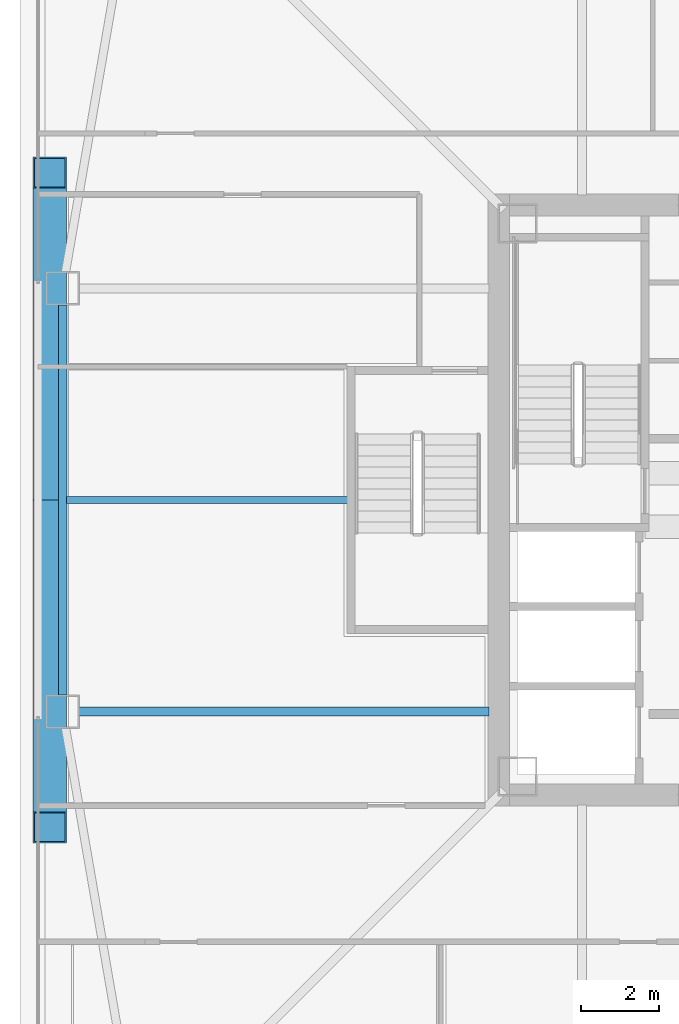
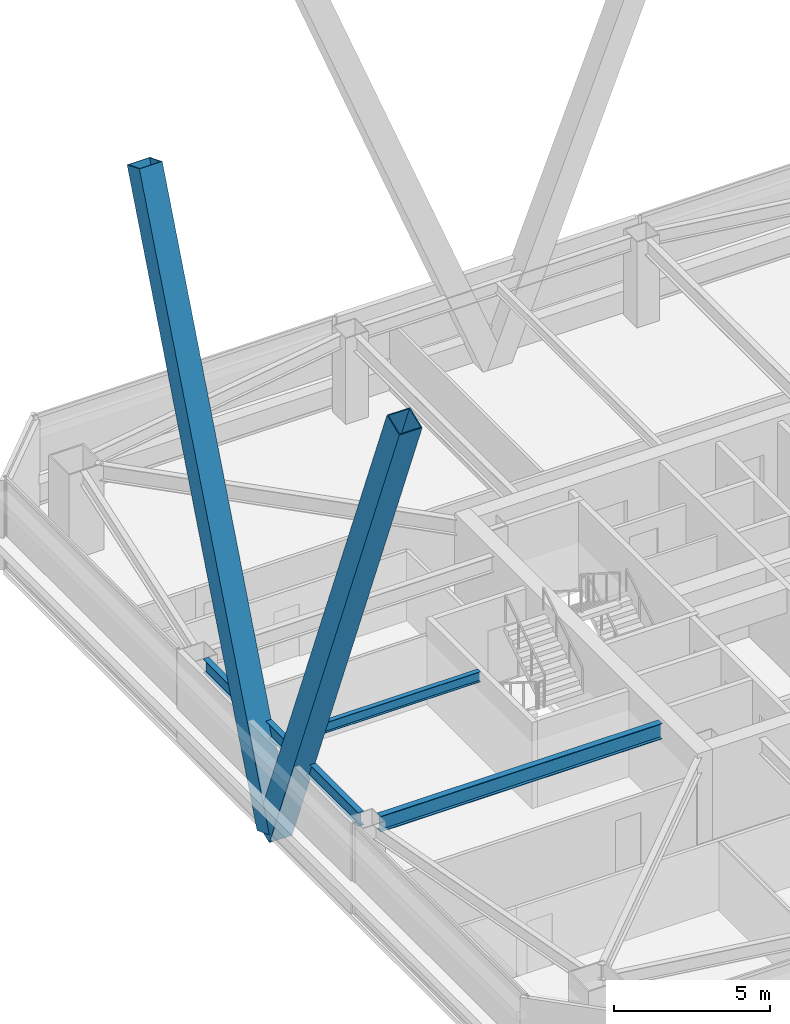
# One storey, part 8 of 50: 3 beams, 2 members.
"""IFC4 building model written with IfcOpenShell, lengths in metres."""

from ifc_helpers import new_model, si_unit, direction, frame, origin, origin_2d, place, context, subcontext, project, spatial, hollow_rectangle, i_section, extrude, material, material_profile, profile_set, type_object, element, save


model = new_model("IFC4")

# Units and contexts
model_context = context("Model", 3, precision=1e-05, world=origin(), true_north=direction((0.0, 1.0)))
body_context = subcontext(model_context, "Body", "Model", "MODEL_VIEW")
ifc_project = project(units=[si_unit("LENGTHUNIT", "METRE"), si_unit("AREAUNIT", "SQUARE_METRE"), si_unit("VOLUMEUNIT", "CUBIC_METRE"), si_unit("PLANEANGLEUNIT", "RADIAN"), si_unit("MASSUNIT", "GRAM", prefix="KILO")], contexts=[model_context])

# Site, building, storey
site_placement = place(None, origin())
site = spatial("IfcSite", under=ifc_project, at=site_placement, CompositionType="ELEMENT")
building_placement = place(site_placement, origin())
building = spatial("IfcBuilding", under=site, at=building_placement, Name="Tashvorn Skyway Center", CompositionType="ELEMENT")
storey_placement = place(building_placement, frame((0.0, 0.0, 114.39990234375)))
storey = spatial("IfcBuildingStorey", under=building, at=storey_placement, Name="L30", CompositionType="ELEMENT", Elevation=114.39990234375)

# Beams
ifc_material_1 = material(Name="Steel ASTM A992 Grade 50", Category="steel")
ifc_material_profile_1 = material_profile(ifc_material_1, i_section(OverallWidth=0.22998046875, OverallDepth=0.616943359375, WebThickness=0.01318359375, FlangeThickness=0.022216796875, at=origin_2d()), Name="W24X94")
ifc_profile_set_1 = profile_set([ifc_material_profile_1], Name="Steel ASTM A992 Grade 50")
beam_type_1 = type_object("IfcBeamType", Name="BM-BEAM-W24X94", PredefinedType="BEAM", material=ifc_profile_set_1)
beam_1_placement = place(storey_placement, frame((23.77001953125, 26.60009765625, 3.0615234375), z_axis=(1.0, 0.0, 0.0), x_axis=(0.0, 1.0, 0.0)))
element("IfcBeam", 1, at=beam_1_placement, inside=storey, type_object=beam_type_1, Name="Tower 1 L30 Primary Floor Girder FC-W2", PredefinedType="BEAM", context=body_context, shape_type="SweptSolid", body=[
    extrude(i_section(OverallWidth=0.22998046875, OverallDepth=0.616943359375, WebThickness=0.01318359375, FlangeThickness=0.022216796875, at=origin_2d()), origin(), (0.0, 0.0, 1.0), 10.449951171875),
])
ifc_material_profile_2 = material_profile(ifc_material_1, i_section(OverallWidth=0.177978515625, OverallDepth=0.406005859375, WebThickness=0.0078125, FlangeThickness=0.0126953125, at=origin_2d()), Name="W16X40")
ifc_profile_set_2 = profile_set([ifc_material_profile_2], Name="Steel ASTM A992 Grade 50")
beam_type_2 = type_object("IfcBeamType", Name="BM-JOIST-W16X40", PredefinedType="JOIST", material=ifc_profile_set_2)
beam_2_placement = place(storey_placement, frame((30.610107421875, 32.0, 3.1669921875), z_axis=(-1.0, 0.0, 0.0), x_axis=(0.0, -1.0, 0.0)))
element("IfcBeam", 2, at=beam_2_placement, inside=storey, type_object=beam_type_2, Name="Tower 1 L30 Secondary Composite Joist JW", PredefinedType="JOIST", context=body_context, shape_type="SweptSolid", body=[
    extrude(i_section(OverallWidth=0.177978515625, OverallDepth=0.406005859375, WebThickness=0.0078125, FlangeThickness=0.0126953125, at=origin_2d()), origin(), (0.0, 0.0, 1.0), 7.16259765625),
])
ifc_material_profile_3 = material_profile(ifc_material_1, i_section(OverallWidth=0.2109375, OverallDepth=0.5390625, WebThickness=0.01171875, FlangeThickness=0.018798828125, at=origin_2d()), Name="W21X73")
ifc_profile_set_3 = profile_set([ifc_material_profile_3], Name="Steel ASTM A992 Grade 50")
beam_type_3 = type_object("IfcBeamType", Name="BM-SPANDREL-W21X73", PredefinedType="SPANDREL", material=ifc_profile_set_3)
beam_3_placement = place(storey_placement, frame((23.35009765625, 36.97998046875, 3.1005859375), z_axis=(0.0, -1.0, 0.0), x_axis=(1.0, 0.0, 0.0)))
element("IfcBeam", 3, at=beam_3_placement, inside=storey, type_object=beam_type_3, Name="Tower 1 L30 Spandrel Beam 11", PredefinedType="SPANDREL", context=body_context, shape_type="SweptSolid", body=[
    extrude(i_section(OverallWidth=0.2109375, OverallDepth=0.5390625, WebThickness=0.01171875, FlangeThickness=0.018798828125, at=origin_2d()), origin(), (0.0, 0.0, 1.0), 9.9599609375),
])

# Members
ifc_material_2 = material(Name="Steel ASTM A572 Grade 50", Category="steel")
ifc_material_profile_4 = material_profile(ifc_material_2, hollow_rectangle(XDim=0.85009765625, YDim=0.85009765625, WallThickness=0.034912109375, at=origin_2d()), Name="BOX850x850x35")
ifc_profile_set_4 = profile_set([ifc_material_profile_4], Name="Steel ASTM A572 Grade 50")
member_type = type_object("IfcMemberType", Name="MEM-MB-850", PredefinedType="BRACE", material=ifc_profile_set_4)
for number, where, z_axis, x_axis, name in (
    (4, (23.02001953125, 32.0, -0.199951171875), (0.0, 0.368727390038, 0.929537579571), (-1.0, 0.0, 0.0), "Tower 1 Zone 3 W Chevron Mega-Brace L1"),
    (5, (23.02001953125, 32.0, -0.199951171875), (0.0, -0.368727390038, 0.929537579571), (1.0, 0.0, 0.0), "Tower 1 Zone 3 W Chevron Mega-Brace R1"),
):
    element("IfcMember", number, at=place(storey_placement, frame(where, z_axis=z_axis, x_axis=x_axis)), inside=storey, type_object=member_type, Name=name, PredefinedType="BRACE", context=body_context, shape_type="SweptSolid", body=[
        extrude(hollow_rectangle(XDim=0.85009765625, YDim=0.85009765625, WallThickness=0.034912109375, at=origin_2d()), origin(), (0.0, 0.0, 1.0), 22.645751953125),
    ])

save(model, "model.ifc")
